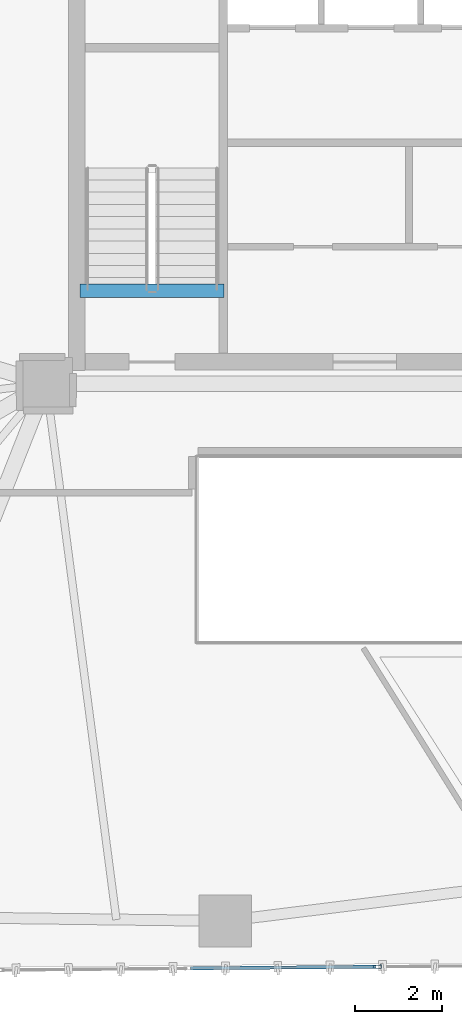
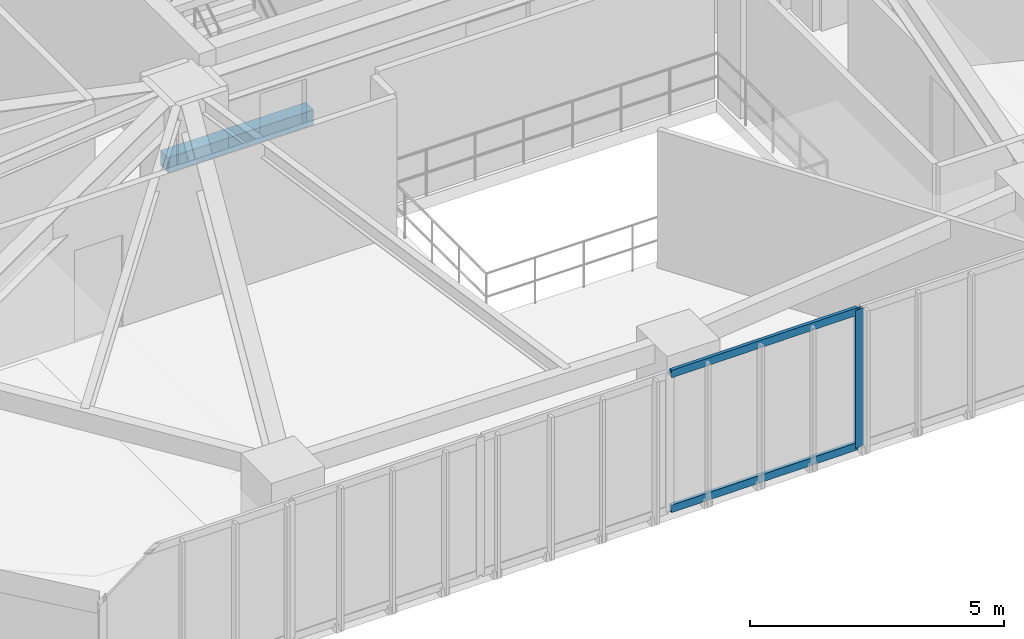
# One storey, part 5 of 21: 3 members, 1 beam, 1 element without a shape of its own.
"""IFC4 building model written with IfcOpenShell, lengths in metres."""

from ifc_helpers import new_model, si_unit, direction, frame, origin, origin_2d, place, context, subcontext, project, spatial, rectangle, hollow_rectangle, extrude, source, transform, mapped, material, layer, layer_set, material_profile, profile_set, type_object, type_shapes, element, aggregate, save


model = new_model("IFC4")

# Units and contexts
model_context = context("Model", 3, precision=1e-05, world=origin(), true_north=direction((0.0, 1.0)))
body_context = subcontext(model_context, "Body", "Model", "MODEL_VIEW")
ifc_project = project(units=[si_unit("LENGTHUNIT", "METRE"), si_unit("AREAUNIT", "SQUARE_METRE"), si_unit("VOLUMEUNIT", "CUBIC_METRE"), si_unit("PLANEANGLEUNIT", "RADIAN"), si_unit("MASSUNIT", "GRAM", prefix="KILO")], contexts=[model_context])

# Site, building, storey
site_placement = place(None, origin())
site = spatial("IfcSite", under=ifc_project, at=site_placement, CompositionType="ELEMENT")
building_placement = place(site_placement, origin())
building = spatial("IfcBuilding", under=site, at=building_placement, Name="Talar Marvaseh", CompositionType="ELEMENT")
storey_placement = place(building_placement, frame((0.0, 0.0, 93.0)))
storey = spatial("IfcBuildingStorey", under=building, at=storey_placement, Name="L23", CompositionType="ELEMENT", Elevation=93.0)

# Beam
ifc_material_1 = material(Name="Concrete C40/50", Category="concrete")
ifc_material_profile_1 = material_profile(ifc_material_1, rectangle(XDim=0.300048828125, YDim=0.360107421875, at=origin_2d()), Name="RC300x360")
ifc_profile_set_1 = profile_set([ifc_material_profile_1], Name="Concrete C40/50")
beam_type = type_object("IfcBeamType", Name="Concrete Stair Landing Trimmer Beam RC300x360", PredefinedType="SPANDREL", material=ifc_profile_set_1)
beam_placement = place(storey_placement, frame((22.780029296875, 27.6298828125, -0.179931640625), z_axis=(-1.0, 0.0, 0.0), x_axis=(0.0, -1.0, 0.0)))
element("IfcBeam", 1, at=beam_placement, inside=storey, type_object=beam_type, Name="L23 ST-1 Stair Nosing Trimmer Beam", PredefinedType="SPANDREL", context=body_context, shape_type="SweptSolid", body=[
    extrude(rectangle(XDim=0.300048828125, YDim=0.360107421875, at=origin_2d()), origin(), (0.0, 0.0, 1.0), 3.300048828125),
])

# Curtain wall, members
ifc_material_2 = material(Name="Architectural Aluminium", Category="aluminium")
ifc_layer = layer(ifc_material_2, 0.199951171875)
ifc_layer_set = layer_set([ifc_layer], Name="Architectural Aluminium")
curtain_wall_type = type_object("IfcCurtainWallType", Name="Unitised Acoustic Library Curtain Wall Z2", PredefinedType="NOTDEFINED", material=ifc_layer_set)
curtain_wall_placement = place(storey_placement, origin())
curtain_wall = element("IfcCurtainWall", 2, at=curtain_wall_placement, inside=storey, type_object=curtain_wall_type, Name="L23 Unitised Acoustic Library Curtain Wall Z2", PredefinedType="NOTDEFINED")
ifc_material_profile_2 = material_profile(ifc_material_2, hollow_rectangle(XDim=0.074951171875, YDim=0.179931640625, WallThickness=0.0048828125, at=origin_2d()), Name="RHS180x75x5")
ifc_profile_set_2 = profile_set([ifc_material_profile_2], Name="Architectural Aluminium")
member_type_1 = type_object("IfcMemberType", Name="Unitised Curtain Wall Standard Mullion RHS180x75x5", PredefinedType="MULLION", material=ifc_profile_set_2)
shared_shape_1 = source(origin(), body_context, "Body", "SweptSolid", [
    extrude(hollow_rectangle(XDim=0.074951171875, YDim=0.179931640625, WallThickness=0.0048828125, at=origin_2d()), origin(), (0.0, 0.0, 1.0), 3.31005859375),
])
type_shapes(member_type_1, [shared_shape_1])
member_1_placement = place(storey_placement, frame((26.29296875, 12.135498046875, 0.0), z_axis=(0.0, 0.0, 1.0), x_axis=(0.008881630353, -0.999960557543, 0.0)))
member_1 = element("IfcMember", 3, at=member_1_placement, type_object=member_type_1, Name="CW-Z2 mullion 2", PredefinedType="MULLION", context=body_context, shape_type="MappedRepresentation", body=[
    mapped(shared_shape_1, transform((0.0, 0.0, 0.0), x_axis=(1.0, 0.0, 0.0), y_axis=(0.0, 1.0, 0.0), z_axis=(0.0, 0.0, 1.0), scale=1.0)),
])
ifc_material_profile_3 = material_profile(ifc_material_2, hollow_rectangle(XDim=0.074951171875, YDim=0.179931640625, WallThickness=0.0048828125, at=origin_2d()), Name="RHS180x75x5")
ifc_profile_set_3 = profile_set([ifc_material_profile_3], Name="Architectural Aluminium")
member_type_2 = type_object("IfcMemberType", Name="Unitised Curtain Wall Transom RHS180x75x5", PredefinedType="USERDEFINED", material=ifc_profile_set_3)
shared_shape_2 = source(origin(), body_context, "Body", "SweptSolid", [
    extrude(hollow_rectangle(XDim=0.074951171875, YDim=0.179931640625, WallThickness=0.0048828125, at=origin_2d()), origin(), (0.0, 0.0, 1.0), 4.248779296875),
])
type_shapes(member_type_2, [shared_shape_2])
member_2_placement = place(storey_placement, frame((26.255615234375, 12.135009765625, 0.03759765625), z_axis=(-0.999960844966, -0.008849211017, 0.0), x_axis=(0.008849211017, -0.999960844966, 0.0)))
member_2 = element("IfcMember", 4, at=member_2_placement, type_object=member_type_2, Name="CW-Z2 transom 2.1", ObjectType="TRANSOM", PredefinedType="USERDEFINED", context=body_context, shape_type="MappedRepresentation", body=[
    mapped(shared_shape_2, transform((0.0, 0.0, 0.0), x_axis=(1.0, 0.0, 0.0), y_axis=(0.0, 1.0, 0.0), z_axis=(0.0, 0.0, 1.0), scale=1.0)),
])
member_3_placement = place(storey_placement, frame((26.255615234375, 12.135009765625, 3.2724609375), z_axis=(-0.999960844966, -0.008849211017, 0.0), x_axis=(0.008849211017, -0.999960844966, 0.0)))
member_3 = element("IfcMember", 5, at=member_3_placement, type_object=member_type_2, Name="CW-Z2 transom 2.2", ObjectType="TRANSOM", PredefinedType="USERDEFINED", context=body_context, shape_type="MappedRepresentation", body=[
    mapped(shared_shape_2, transform((0.0, 0.0, 0.0), x_axis=(1.0, 0.0, 0.0), y_axis=(0.0, 1.0, 0.0), z_axis=(0.0, 0.0, 1.0), scale=1.0)),
])
aggregate(curtain_wall, [member_1, member_2, member_3])

save(model, "model.ifc")
